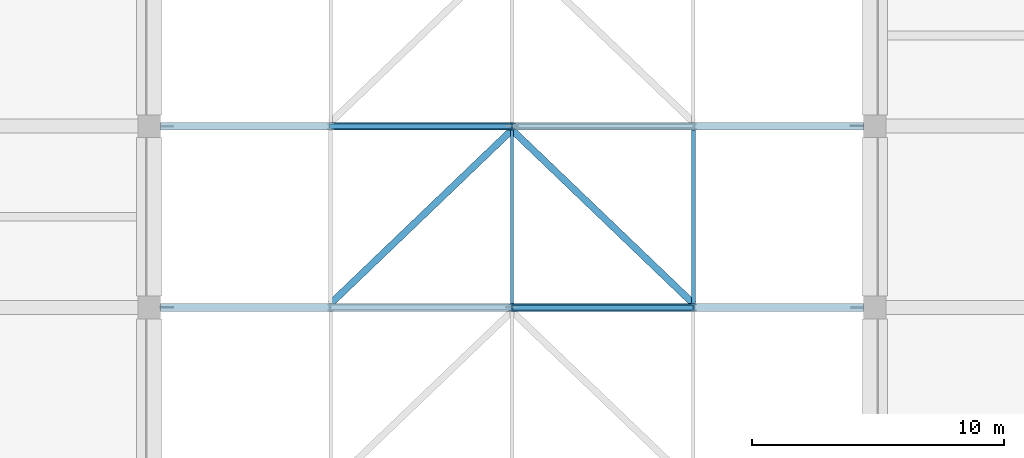
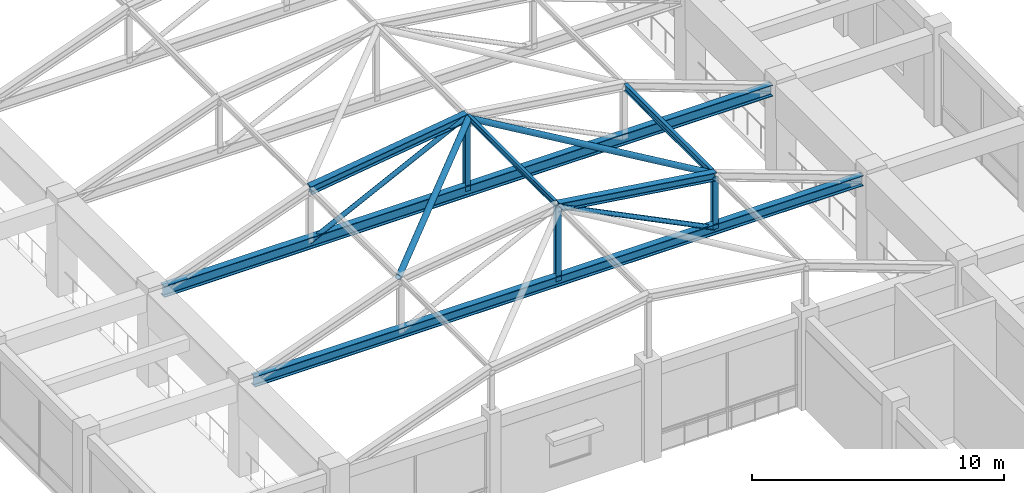
# One storey, part 18 of 75: 11 members, 2 beams.
"""IFC4 building model written with IfcOpenShell, lengths in metres."""

from ifc_helpers import new_model, si_unit, direction, frame, origin, origin_2d, place, context, subcontext, project, spatial, hollow_circle, i_section, extrude, material, material_profile, profile_set, type_object, element, save


model = new_model("IFC4")

# Units and contexts
model_context = context("Model", 3, precision=1e-05, world=origin(), true_north=direction((0.0, 1.0)))
body_context = subcontext(model_context, "Body", "Model", "MODEL_VIEW")
ifc_project = project(units=[si_unit("LENGTHUNIT", "METRE"), si_unit("AREAUNIT", "SQUARE_METRE"), si_unit("VOLUMEUNIT", "CUBIC_METRE"), si_unit("PLANEANGLEUNIT", "RADIAN"), si_unit("MASSUNIT", "GRAM", prefix="KILO")], contexts=[model_context])

# Site, building, storey
site_placement = place(None, origin())
site = spatial("IfcSite", under=ifc_project, at=site_placement, CompositionType="ELEMENT")
building_placement = place(site_placement, origin())
building = spatial("IfcBuilding", under=site, at=building_placement, Name="Cendaluz Park School", CompositionType="ELEMENT")
storey_placement = place(building_placement, frame((0.0, 0.0, 4.800048828125)))
storey = spatial("IfcBuildingStorey", under=building, at=storey_placement, Name="L01", CompositionType="ELEMENT", Elevation=4.800048828125)

# Beams
ifc_material = material(Name="Steel S355", Category="steel")
ifc_material_profile_1 = material_profile(ifc_material, i_section(OverallWidth=0.300048828125, OverallDepth=0.5, WebThickness=0.014892578125, FlangeThickness=0.028076171875, FilletRadius=0.027099609375, at=origin_2d()), Name="HEB 500", Category="steel")
ifc_profile_set_1 = profile_set([ifc_material_profile_1], Name="Steel S355")
beam_type_1 = type_object("IfcBeamType", Name="BM-ST01", PredefinedType="BEAM", material=ifc_profile_set_1)
beam_1_placement = place(storey_placement, frame((7.64990234375, 64.800048828125, 4.14990234375), z_axis=(1.0, 0.0, 0.0), x_axis=(0.0, 1.0, 0.0)))
element("IfcBeam", 1, at=beam_1_placement, inside=storey, type_object=beam_type_1, Name="BM-L01-BMST01-0525", PredefinedType="BEAM", context=body_context, shape_type="SweptSolid", body=[
    extrude(i_section(OverallWidth=0.300048828125, OverallDepth=0.5, WebThickness=0.014892578125, FlangeThickness=0.028076171875, FilletRadius=0.027099609375, at=origin_2d()), origin(), (0.0, 0.0, 1.0), 27.900146484375),
])
ifc_material_profile_2 = material_profile(ifc_material, i_section(OverallWidth=0.300048828125, OverallDepth=0.550048828125, WebThickness=0.014892578125, FlangeThickness=0.029052734375, FilletRadius=0.027099609375, at=origin_2d()), Name="HEB 550", Category="steel")
ifc_profile_set_2 = profile_set([ifc_material_profile_2], Name="Steel S355")
beam_type_2 = type_object("IfcBeamType", Name="BM-ST11", PredefinedType="BEAM", material=ifc_profile_set_2)
beam_2_placement = place(storey_placement, frame((7.64990234375, 72.0, 4.14990234375), z_axis=(1.0, 0.0, 0.0), x_axis=(0.0, 1.0, 0.0)))
element("IfcBeam", 2, at=beam_2_placement, inside=storey, type_object=beam_type_2, Name="BM-L01-BMST11-0526", PredefinedType="BEAM", context=body_context, shape_type="SweptSolid", body=[
    extrude(i_section(OverallWidth=0.300048828125, OverallDepth=0.550048828125, WebThickness=0.014892578125, FlangeThickness=0.029052734375, FilletRadius=0.027099609375, at=origin_2d()), origin(), (0.0, 0.0, 1.0), 27.900146484375),
])

# Members
ifc_material_profile_3 = material_profile(ifc_material, i_section(OverallWidth=0.300048828125, OverallDepth=0.39990234375, WebThickness=0.013916015625, FlangeThickness=0.02392578125, FilletRadius=0.027099609375, at=origin_2d()), Name="HEB 400", Category="steel")
ifc_profile_set_3 = profile_set([ifc_material_profile_3], Name="Steel S355")
member_type_1 = type_object("IfcMemberType", Name="MB-CH01", PredefinedType="CHORD", material=ifc_profile_set_3)
member_1_placement = place(storey_placement, frame((21.60009765625, 64.800048828125, 7.7099609375), z_axis=(0.990113333567, 0.0, -0.140269692708), x_axis=(0.0, 1.0, 0.0)))
element("IfcMember", 3, at=member_1_placement, inside=storey, type_object=member_type_1, Name="MB-L01-MBCH01-0010", PredefinedType="CHORD", context=body_context, shape_type="SweptSolid", body=[
    extrude(i_section(OverallWidth=0.300048828125, OverallDepth=0.39990234375, WebThickness=0.013916015625, FlangeThickness=0.02392578125, FilletRadius=0.027099609375, at=origin_2d()), origin(), (0.0, 0.0, 1.0), 7.271728515625),
])
member_2_placement = place(storey_placement, frame((14.39990234375, 72.0, 6.68994140625), z_axis=(0.990113994111, 0.0, 0.140265030089), x_axis=(0.0, 1.0, 0.0)))
element("IfcMember", 4, at=member_2_placement, inside=storey, type_object=member_type_1, Name="MB-L01-MBCH01-0018", PredefinedType="CHORD", context=body_context, shape_type="SweptSolid", body=[
    extrude(i_section(OverallWidth=0.300048828125, OverallDepth=0.39990234375, WebThickness=0.013916015625, FlangeThickness=0.02392578125, FilletRadius=0.027099609375, at=origin_2d()), origin(), (0.0, 0.0, 1.0), 7.27197265625),
])
ifc_material_profile_4 = material_profile(ifc_material, i_section(OverallWidth=0.135009765625, OverallDepth=0.27001953125, WebThickness=0.007080078125, FlangeThickness=0.010009765625, FilletRadius=0.014892578125, at=origin_2d()), Name="IPE 270", Category="steel")
ifc_profile_set_4 = profile_set([ifc_material_profile_4], Name="Steel S355")
member_type_2 = type_object("IfcMemberType", Name="MB-PR01", PredefinedType="PURLIN", material=ifc_profile_set_4)
member_3_placement = place(storey_placement, frame((21.60009765625, 64.949951171875, 7.764892578125), z_axis=(0.0, 1.0, 0.0), x_axis=(-1.0, 0.0, 0.0)))
element("IfcMember", 5, at=member_3_placement, inside=storey, type_object=member_type_2, Name="MB-L01-MBPR01-0066", PredefinedType="PURLIN", context=body_context, shape_type="SweptSolid", body=[
    extrude(i_section(OverallWidth=0.135009765625, OverallDepth=0.27001953125, WebThickness=0.007080078125, FlangeThickness=0.010009765625, FilletRadius=0.014892578125, at=origin_2d()), origin(), (0.0, 0.0, 1.0), 6.900146484375),
])
ifc_material_profile_5 = material_profile(ifc_material, i_section(OverallWidth=0.159912109375, OverallDepth=0.330078125, WebThickness=0.008056640625, FlangeThickness=0.011962890625, FilletRadius=0.01806640625, at=origin_2d()), Name="IPE 330", Category="steel")
ifc_profile_set_5 = profile_set([ifc_material_profile_5], Name="Steel S355")
member_type_3 = type_object("IfcMemberType", Name="MB-PR02", PredefinedType="PURLIN", material=ifc_profile_set_5)
member_4_placement = place(storey_placement, frame((28.800048828125, 64.949951171875, 6.704833984375), z_axis=(0.0, 1.0, 0.0), x_axis=(-1.0, 0.0, 0.0)))
element("IfcMember", 6, at=member_4_placement, inside=storey, type_object=member_type_3, Name="MB-L01-MBPR02-0067", PredefinedType="PURLIN", context=body_context, shape_type="SweptSolid", body=[
    extrude(i_section(OverallWidth=0.159912109375, OverallDepth=0.330078125, WebThickness=0.008056640625, FlangeThickness=0.011962890625, FilletRadius=0.01806640625, at=origin_2d()), origin(), (0.0, 0.0, 1.0), 6.900146484375),
])
ifc_material_profile_6 = material_profile(ifc_material, hollow_circle(Radius=0.136474609375, WallThickness=0.011962890625, at=origin_2d()), Name="CHS 273x12", Category="steel")
ifc_profile_set_6 = profile_set([ifc_material_profile_6], Name="Steel S355")
member_type_4 = type_object("IfcMemberType", Name="MBR-01", PredefinedType="BRACE", material=ifc_profile_set_6)
for number, where, z_axis, x_axis, name in (
    (7, (14.39990234375, 64.949951171875, 6.68994140625), (0.718243092846, 0.68831223834, 0.101750293026), (-0.691903236387, 0.72199024334, 0.0), "MB-L01-MBBR01-0068"),
    (8, (28.800048828125, 64.949951171875, 6.68994140625), (-0.718231302195, 0.688324278387, 0.101752072855), (-0.691915465865, -0.721978523293, 0.0), "MB-L01-MBBR01-0069"),
):
    element("IfcMember", number, at=place(storey_placement, frame(where, z_axis=z_axis, x_axis=x_axis)), inside=storey, type_object=member_type_4, Name=name, PredefinedType="BRACE", context=body_context, shape_type="SweptSolid", body=[
        extrude(hollow_circle(Radius=0.136474609375, WallThickness=0.011962890625, at=origin_2d()), origin(), (0.0, 0.0, 1.0), 10.024658203125),
    ])
ifc_material_profile_7 = material_profile(ifc_material, hollow_circle(Radius=0.109619140625, WallThickness=0.010009765625, at=origin_2d()), Name="CHS 219x10", Category="steel")
ifc_profile_set_7 = profile_set([ifc_material_profile_7], Name="Steel S355")
member_type_5 = type_object("IfcMemberType", Name="MBR-02", PredefinedType="BRACE", material=ifc_profile_set_7)
member_5_placement = place(storey_placement, frame((28.800048828125, 64.800048828125, 4.14990234375), z_axis=(-0.896406248188, 0.0, 0.443233390224), x_axis=(0.0, -1.0, 0.0)))
element("IfcMember", 9, at=member_5_placement, inside=storey, type_object=member_type_5, Name="MB-L01-MBBR02-0016", PredefinedType="BRACE", context=body_context, shape_type="SweptSolid", body=[
    extrude(hollow_circle(Radius=0.109619140625, WallThickness=0.010009765625, at=origin_2d()), origin(), (0.0, 0.0, 1.0), 8.031982421875),
])
member_6_placement = place(storey_placement, frame((14.39990234375, 72.0, 4.14990234375), z_axis=(0.896412219401, 0.0, 0.443221313689), x_axis=(0.0, 1.0, 0.0)))
element("IfcMember", 10, at=member_6_placement, inside=storey, type_object=member_type_5, Name="MB-L01-MBBR02-0024", PredefinedType="BRACE", context=body_context, shape_type="SweptSolid", body=[
    extrude(hollow_circle(Radius=0.109619140625, WallThickness=0.010009765625, at=origin_2d()), origin(), (0.0, 0.0, 1.0), 8.0322265625),
])
ifc_material_profile_8 = material_profile(ifc_material, i_section(OverallWidth=0.239990234375, OverallDepth=0.22998046875, WebThickness=0.008056640625, FlangeThickness=0.011962890625, FilletRadius=0.02099609375, at=origin_2d()), Name="HEA 240", Category="steel")
ifc_profile_set_8 = profile_set([ifc_material_profile_8], Name="Steel S355")
member_type_6 = type_object("IfcMemberType", Name="MST-01", PredefinedType="STRUT", material=ifc_profile_set_8)
member_7_placement = place(storey_placement, frame((21.60009765625, 64.800048828125, 4.14990234375), z_axis=(0.0, 0.0, 1.0), x_axis=(1.0, 0.0, 0.0)))
element("IfcMember", 11, at=member_7_placement, inside=storey, type_object=member_type_6, Name="MB-L01-MBST01-0013", PredefinedType="STRUT", context=body_context, shape_type="SweptSolid", body=[
    extrude(i_section(OverallWidth=0.239990234375, OverallDepth=0.22998046875, WebThickness=0.008056640625, FlangeThickness=0.011962890625, FilletRadius=0.02099609375, at=origin_2d()), origin(), (0.0, 0.0, 1.0), 3.56005859375),
])
member_8_placement = place(storey_placement, frame((28.800048828125, 64.800048828125, 4.14990234375), z_axis=(0.0, 0.0, 1.0), x_axis=(1.0, 0.0, 0.0)))
element("IfcMember", 12, at=member_8_placement, inside=storey, type_object=member_type_6, Name="MB-L01-MBST01-0014", PredefinedType="STRUT", context=body_context, shape_type="SweptSolid", body=[
    extrude(i_section(OverallWidth=0.239990234375, OverallDepth=0.22998046875, WebThickness=0.008056640625, FlangeThickness=0.011962890625, FilletRadius=0.02099609375, at=origin_2d()), origin(), (0.0, 0.0, 1.0), 2.5400390625),
])
member_9_placement = place(storey_placement, frame((21.60009765625, 72.0, 4.14990234375), z_axis=(0.0, 0.0, 1.0), x_axis=(1.0, 0.0, 0.0)))
element("IfcMember", 13, at=member_9_placement, inside=storey, type_object=member_type_6, Name="MB-L01-MBST01-0022", PredefinedType="STRUT", context=body_context, shape_type="SweptSolid", body=[
    extrude(i_section(OverallWidth=0.239990234375, OverallDepth=0.22998046875, WebThickness=0.008056640625, FlangeThickness=0.011962890625, FilletRadius=0.02099609375, at=origin_2d()), origin(), (0.0, 0.0, 1.0), 3.56005859375),
])

save(model, "model.ifc")
